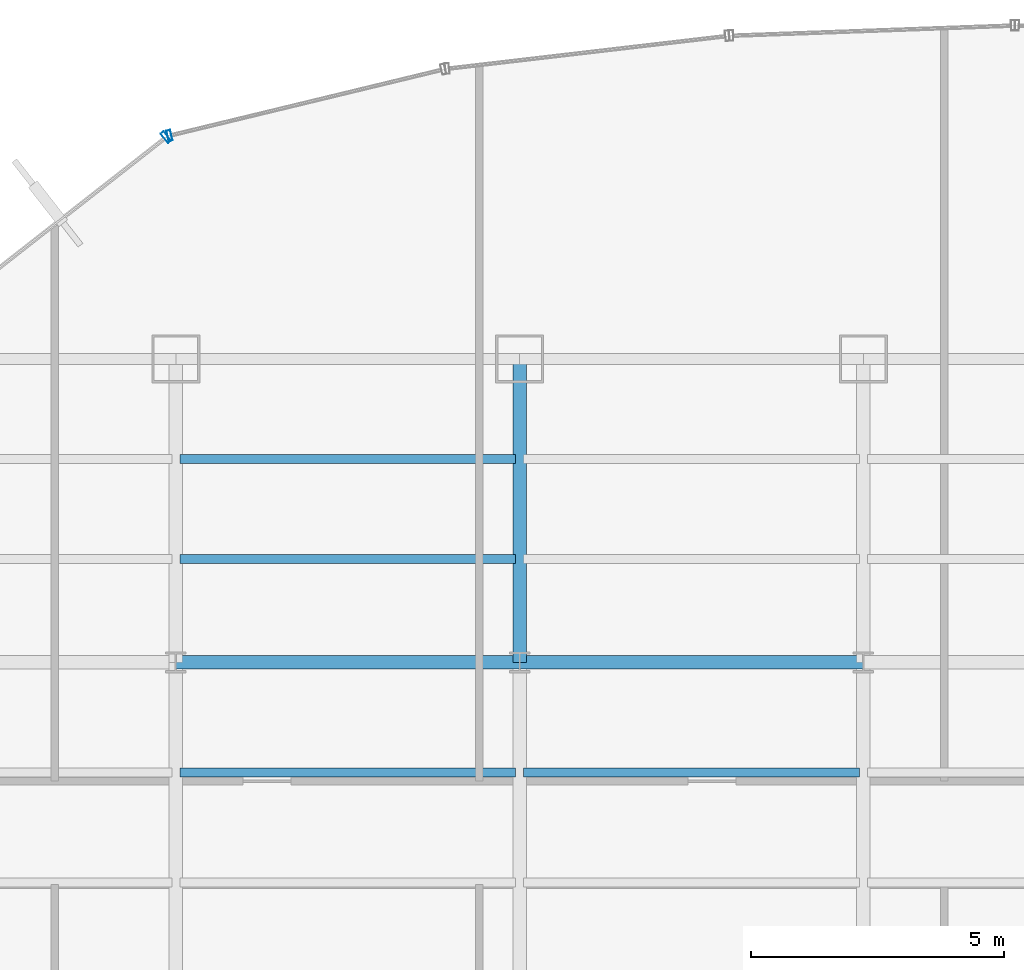
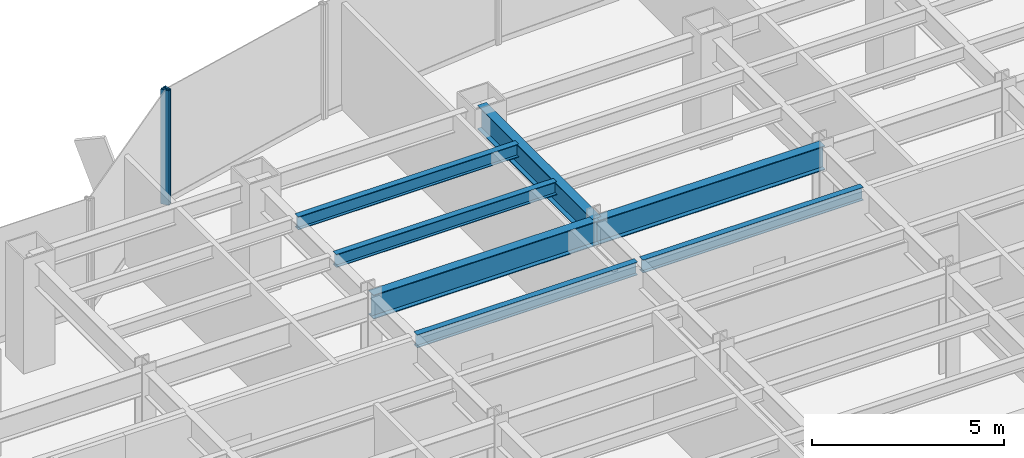
# One storey, part 11 of 23: 7 beams, 2 members, 2 elements without a shape of their own.
"""IFC4 building model written with IfcOpenShell, lengths in metres."""

import ifcopenshell
import ifcopenshell.guid

model = None  # the IFC model being written
_history = None  # IfcOwnerHistory: only IFC2X3 demands one
_inside = {}  # id of a spatial element -> (the spatial element, [elements in it])
_under = {}  # id of a project, library or spatial element -> (it, [spatial elements below it])
_declared = {}  # id of a project -> (the project, [libraries it declares])
_typed = {}  # id of a type object -> (the type object, [elements of that type])
_made_of = {}  # id of a material, layer set ... -> (it, [elements and type objects made of it])


def new_model(schema):
    """Start an empty IFC model of exactly this schema.

    Asked for "IFC4X3", IfcOpenShell would pick the latest addendum, in which some entities
    have other attributes; the version numbers below select the first issue.
    IFC2X3 requires an IfcOwnerHistory on every rooted entity: one is made here for all.
    """
    global model, _history
    if schema == "IFC4X3":
        model = ifcopenshell.file(schema_version=(4, 3, 0, 0))
    else:
        model = ifcopenshell.file(schema=schema)
    _inside.clear()
    _under.clear()
    _declared.clear()
    _typed.clear()
    _made_of.clear()
    _history = None
    if model.schema == "IFC2X3":
        org = make("IfcOrganization", Name="unknown")
        user = make(
            "IfcPersonAndOrganization",
            ThePerson=make("IfcPerson", FamilyName="unknown"),
            TheOrganization=org,
        )
        app = make(
            "IfcApplication",
            ApplicationDeveloper=org,
            Version="unknown",
            ApplicationFullName="unknown",
            ApplicationIdentifier="unknown",
        )
        _history = make(
            "IfcOwnerHistory",
            OwningUser=user,
            OwningApplication=app,
            ChangeAction="ADDED",
            CreationDate=0,
        )
    return model


def make(cls, **values):
    """One entity of the class cls with the attributes given. An attribute that is None is left unset."""
    return model.create_entity(
        cls, **{name: value for name, value in values.items() if value is not None}
    )


def rooted(cls, **values):
    """An entity with a GlobalId (a new one), such as an element, a storey or a relation."""
    return make(cls, GlobalId=ifcopenshell.guid.new(), OwnerHistory=_history, **values)


def si_unit(unit_type, name, prefix=None):
    """IfcSIUnit, for example si_unit("LENGTHUNIT", "METRE", prefix="MILLI")."""
    return make("IfcSIUnit", UnitType=unit_type, Prefix=prefix, Name=name)


def derived_unit(unit_type, elements):
    """IfcDerivedUnit: a product of units, each with its exponent."""
    return make(
        "IfcDerivedUnit",
        Elements=[
            make("IfcDerivedUnitElement", Unit=unit, Exponent=power)
            for unit, power in elements
        ],
        UnitType=unit_type,
    )


def assignment(units):
    """IfcUnitAssignment: the units of a project."""
    return None if units is None else make("IfcUnitAssignment", Units=units)


def point(xyz):
    """IfcCartesianPoint."""
    return None if xyz is None else make("IfcCartesianPoint", Coordinates=xyz)


def direction(xyz):
    """IfcDirection."""
    return None if xyz is None else make("IfcDirection", DirectionRatios=xyz)


def frame(location, z_axis=None, x_axis=None):
    """IfcAxis2Placement3D, a coordinate frame: its origin and axes. An axis left out is left unset."""
    return make(
        "IfcAxis2Placement3D",
        Location=point(location),
        Axis=direction(z_axis),
        RefDirection=direction(x_axis),
    )


def frame_2d(location, x_axis=None):
    """IfcAxis2Placement2D, a coordinate frame in the plane: its origin and x axis."""
    return make(
        "IfcAxis2Placement2D", Location=point(location), RefDirection=direction(x_axis)
    )


def origin():
    """The frame at (0, 0, 0) with its axes left unset."""
    return frame((0.0, 0.0, 0.0))


def origin_2d():
    """The frame at (0, 0) in the plane with its x axis left unset."""
    return frame_2d((0.0, 0.0))


def place(relative_to, where):
    """IfcLocalPlacement: puts the frame where relative to a parent placement (None: the world)."""
    return make(
        "IfcLocalPlacement", PlacementRelTo=relative_to, RelativePlacement=where
    )


def context(
    kind, dimensions, precision=None, world=None, true_north=None, identifier=None
):
    """IfcGeometricRepresentationContext, for example the 3D "Model" context."""
    return make(
        "IfcGeometricRepresentationContext",
        ContextIdentifier=identifier,
        ContextType=kind,
        CoordinateSpaceDimension=dimensions,
        Precision=precision,
        WorldCoordinateSystem=world,
        TrueNorth=true_north,
    )


def subcontext(parent, identifier, kind, view, scale=None):
    """IfcGeometricRepresentationSubContext, for example "Body" below "Model"."""
    return make(
        "IfcGeometricRepresentationSubContext",
        ContextIdentifier=identifier,
        ContextType=kind,
        ParentContext=parent,
        TargetScale=scale,
        TargetView=view,
    )


def project(units=None, contexts=None):
    """IfcProject with its units and contexts."""
    return rooted(
        "IfcProject",
        Name="project",
        RepresentationContexts=contexts,
        UnitsInContext=assignment(units),
    )


def spatial(cls, under=None, at=None, **own):
    """A site, building, storey or space (cls), placed at a placement, below another one or the project."""
    s = rooted(cls, ObjectPlacement=at, **own)
    if under is not None:
        _under.setdefault(under.id(), (under, []))[1].append(s)
    return s


def profile(cls, at=None, kind="AREA", **sizes):
    """A parametric profile (cls). Its sizes go by their IFC names, for example OverallWidth=200.0."""
    return make(cls, ProfileType=kind, Position=at, **sizes)


def hollow_rectangle(**sizes):
    """IfcRectangleHollowProfileDef."""
    return profile("IfcRectangleHollowProfileDef", **sizes)


def i_section(**sizes):
    """IfcIShapeProfileDef."""
    return profile("IfcIShapeProfileDef", **sizes)


def extrude(swept, where, along, depth):
    """IfcExtrudedAreaSolid: the profile swept, set in the frame where, extruded along a direction by depth."""
    return make(
        "IfcExtrudedAreaSolid",
        SweptArea=swept,
        Position=where,
        ExtrudedDirection=direction(along),
        Depth=depth,
    )


def shape(context_of_items, identifier, shape_type, items):
    """IfcShapeRepresentation: the items that make up one representation, for example the "Body"."""
    return make(
        "IfcShapeRepresentation",
        ContextOfItems=context_of_items,
        RepresentationIdentifier=identifier,
        RepresentationType=shape_type,
        Items=items,
    )


def source(mapping_origin, context_of_items, identifier, shape_type, items):
    """IfcRepresentationMap: a shape defined once, which mapped items show again and again."""
    return make(
        "IfcRepresentationMap",
        MappingOrigin=mapping_origin,
        MappedRepresentation=shape(context_of_items, identifier, shape_type, items),
    )


def transform(
    local_origin,
    x_axis=None,
    y_axis=None,
    z_axis=None,
    scale=None,
    scale2=None,
    scale3=None,
    uniform=True,
):
    """IfcCartesianTransformationOperator3D, or its non-uniform kind. x_axis, y_axis, z_axis: its Axis1, 2, 3."""
    if uniform:
        return make(
            "IfcCartesianTransformationOperator3D",
            Axis1=direction(x_axis),
            Axis2=direction(y_axis),
            LocalOrigin=point(local_origin),
            Scale=scale,
            Axis3=direction(z_axis),
        )
    return make(
        "IfcCartesianTransformationOperator3DnonUniform",
        Axis1=direction(x_axis),
        Axis2=direction(y_axis),
        LocalOrigin=point(local_origin),
        Scale=scale,
        Axis3=direction(z_axis),
        Scale2=scale2,
        Scale3=scale3,
    )


def mapped(mapping_source, mapping_target):
    """IfcMappedItem: shows the shape of a source again, moved by a transform."""
    return make(
        "IfcMappedItem", MappingSource=mapping_source, MappingTarget=mapping_target
    )


def material(Name=None, Category=None):
    """IfcMaterial."""
    return make("IfcMaterial", Name=Name, Category=Category)


def material_profile(
    of_material, cross_section, Name=None, Category=None, Priority=None
):
    """IfcMaterialProfile: a cross section and its material."""
    return make(
        "IfcMaterialProfile",
        Name=Name,
        Material=of_material,
        Profile=cross_section,
        Priority=Priority,
        Category=Category,
    )


def profile_set(profiles, Name=None, composite=None):
    """IfcMaterialProfileSet."""
    return make(
        "IfcMaterialProfileSet",
        Name=Name,
        MaterialProfiles=profiles,
        CompositeProfile=composite,
    )


def made_of(thing, what):
    """Note that an element or type object is made of a material, layer set ...; save() writes the relation."""
    if what is not None:
        _made_of.setdefault(what.id(), (what, []))[1].append(thing)
    return thing


def type_object(cls, material=None, **own):
    """A type object (cls), such as IfcWallType, which elements share."""
    return made_of(rooted(cls, **own), material)


def element(
    cls,
    number,
    at=None,
    inside=None,
    cuts=None,
    type_object=None,
    material=None,
    context=None,
    identifier="Body",
    shape_type=None,
    held_by="IfcProductDefinitionShape",
    body=None,
    shapes=None,
    **own,
):
    """One element of the class cls, such as IfcWall. Its Tag is "e" and its number.

    at: its placement. inside: the storey or other place that contains it. cuts: it is an
    opening in that element (IfcRelVoidsElement). A single representation is given by context,
    identifier, shape_type and body (its items); several are given by shapes. held_by: the class
    of the entity that holds the representations. save() writes the other relations.
    """
    e = rooted(cls, Tag="e%d" % number, ObjectPlacement=at, **own)
    if body is not None:
        shapes = [shape(context, identifier, shape_type, body)]
    if shapes is not None:
        e.Representation = make(held_by, Representations=shapes)
    if inside is not None:
        _inside.setdefault(inside.id(), (inside, []))[1].append(e)
    if cuts is not None:
        rooted(
            "IfcRelVoidsElement", RelatingBuildingElement=cuts, RelatedOpeningElement=e
        )
    if type_object is not None:
        _typed.setdefault(type_object.id(), (type_object, []))[1].append(e)
    return made_of(e, material)


def aggregate(whole, parts):
    """IfcRelAggregates: a whole, such as a stair, and the parts it consists of."""
    return rooted("IfcRelAggregates", RelatingObject=whole, RelatedObjects=parts)


def save(model, path):
    """Write the relations noted so far, then the file.

    IfcRelAggregates (storeys below a building ...), IfcRelContainedInSpatialStructure (elements
    in a storey), IfcRelDefinesByType, IfcRelAssociatesMaterial and IfcRelDeclares: one each for
    every whole, place, type object, material and project.
    """
    for whole, parts in _under.values():
        aggregate(whole, parts)
    for where, things in _inside.values():
        rooted(
            "IfcRelContainedInSpatialStructure",
            RelatedElements=things,
            RelatingStructure=where,
        )
    for kind, things in _typed.values():
        rooted("IfcRelDefinesByType", RelatedObjects=things, RelatingType=kind)
    for what, things in _made_of.values():
        rooted("IfcRelAssociatesMaterial", RelatedObjects=things, RelatingMaterial=what)
    for by, libraries in _declared.values():
        rooted("IfcRelDeclares", RelatingContext=by, RelatedDefinitions=libraries)
    model.write(path)


model = new_model("IFC4")

# Units and contexts
model_context = context("Model", 3, precision=1e-05, world=origin(), true_north=direction((0.0, 1.0)))
body_context = subcontext(model_context, "Body", "Model", "MODEL_VIEW")
ifc_project = project(units=[si_unit("LENGTHUNIT", "METRE"), si_unit("AREAUNIT", "SQUARE_METRE"), si_unit("VOLUMEUNIT", "CUBIC_METRE"), si_unit("PLANEANGLEUNIT", "RADIAN"), si_unit("MASSUNIT", "GRAM", prefix="KILO"), derived_unit("THERMALTRANSMITTANCEUNIT", [(si_unit("POWERUNIT", "WATT"), 1), (si_unit("LENGTHUNIT", "METRE"), -2), (si_unit("THERMODYNAMICTEMPERATUREUNIT", "KELVIN"), -1)])], contexts=[model_context])

# Site, building, storey
site_placement = place(None, origin())
site = spatial("IfcSite", under=ifc_project, at=site_placement, CompositionType="ELEMENT")
building_placement = place(site_placement, origin())
building = spatial("IfcBuilding", under=site, at=building_placement, Name="Skarnbrae Concourse Arena and Tower", CompositionType="ELEMENT")
storey_placement = place(building_placement, frame((0.0, 0.0, 47.10009765625)))
storey = spatial("IfcBuildingStorey", under=building, at=storey_placement, Name="L10", CompositionType="ELEMENT", Elevation=47.10009765625)

# Beams
ifc_material_1 = material(Name="Steel CSA G40.21 350W", Category="steel")
ifc_material_profile_1 = material_profile(ifc_material_1, i_section(OverallWidth=0.26806640625, OverallDepth=0.77001953125, WebThickness=0.015625, FlangeThickness=0.025390625, at=origin_2d()), Name="W760X196")
ifc_profile_set_1 = profile_set([ifc_material_profile_1], Name="Steel CSA G40.21 350W")
beam_type_1 = type_object("IfcBeamType", Name="BM-GIRD-W760X196", PredefinedType="BEAM", material=ifc_profile_set_1)
shared_shape_1 = source(origin(), body_context, "Body", "SweptSolid", [
    extrude(i_section(OverallWidth=0.26806640625, OverallDepth=0.77001953125, WebThickness=0.015625, FlangeThickness=0.025390625, at=origin_2d()), origin(), (0.0, 0.0, 1.0), 6.800048828125),
])
for number, where, z_axis, x_axis, name in (
    (1, (14.39990234375, 34.39990234375, 3.014892578125), (1.0, 0.0, 0.0), (0.0, 1.0, 0.0), "L10 Primary E-W girder Y34.4-3"),
    (2, (21.199951171875, 34.39990234375, 3.014892578125), (1.0, 0.0, 0.0), (0.0, 1.0, 0.0), "L10 Primary E-W girder Y34.4-4"),
):
    element("IfcBeam", number, at=place(storey_placement, frame(where, z_axis=z_axis, x_axis=x_axis)), inside=storey, type_object=beam_type_1, Name=name, PredefinedType="BEAM", context=body_context, shape_type="MappedRepresentation", body=[
        mapped(shared_shape_1, transform((0.0, 0.0, 0.0))),
    ])
shared_shape_2 = source(origin(), body_context, "Body", "SweptSolid", [
    extrude(i_section(OverallWidth=0.26806640625, OverallDepth=0.77001953125, WebThickness=0.015625, FlangeThickness=0.025390625, at=origin_2d()), origin(), (0.0, 0.0, 1.0), 6.0),
])
beam_1_placement = place(storey_placement, frame((21.199951171875, 34.39990234375, 3.014892578125), z_axis=(0.0, 1.0, 0.0), x_axis=(-1.0, 0.0, 0.0)))
element("IfcBeam", 3, at=beam_1_placement, inside=storey, type_object=beam_type_1, Name="L10 Primary N-S girder X21.2-4", PredefinedType="BEAM", context=body_context, shape_type="MappedRepresentation", body=[
    mapped(shared_shape_2, transform((0.0, 0.0, 0.0))),
])
ifc_material_profile_2 = material_profile(ifc_material_1, i_section(OverallWidth=0.180908203125, OverallDepth=0.4169921875, WebThickness=0.010986328125, FlangeThickness=0.018310546875, at=origin_2d()), Name="W410X85")
ifc_profile_set_2 = profile_set([ifc_material_profile_2], Name="Steel CSA G40.21 350W")
beam_type_2 = type_object("IfcBeamType", Name="BM-JOIST-W410X85", PredefinedType="JOIST", material=ifc_profile_set_2)
shared_shape_3 = source(origin(), body_context, "Body", "SweptSolid", [
    extrude(i_section(OverallWidth=0.180908203125, OverallDepth=0.4169921875, WebThickness=0.010986328125, FlangeThickness=0.018310546875, at=origin_2d()), origin(), (0.0, 0.0, 1.0), 6.64013671875),
])
for number, where, z_axis, x_axis, name in (
    (4, (14.47998046875, 32.221923828125, 3.19140625), (1.0, 0.0, 0.0), (0.0, 1.0, 0.0), "L10 Secondary floor joist 3.2.3"),
    (5, (14.47998046875, 36.43994140625, 3.19140625), (1.0, 0.0, 0.0), (0.0, 1.0, 0.0), "L10 Secondary floor joist 4.1.2"),
    (6, (14.47998046875, 38.419921875, 3.19140625), (1.0, 0.0, 0.0), (0.0, 1.0, 0.0), "L10 Secondary floor joist 4.2.2"),
):
    element("IfcBeam", number, at=place(storey_placement, frame(where, z_axis=z_axis, x_axis=x_axis)), inside=storey, type_object=beam_type_2, Name=name, PredefinedType="JOIST", context=body_context, shape_type="MappedRepresentation", body=[
        mapped(shared_shape_3, transform((0.0, 0.0, 0.0))),
    ])
shared_shape_4 = source(origin(), body_context, "Body", "SweptSolid", [
    extrude(i_section(OverallWidth=0.180908203125, OverallDepth=0.4169921875, WebThickness=0.010986328125, FlangeThickness=0.018310546875, at=origin_2d()), origin(), (0.0, 0.0, 1.0), 6.639892578125),
])
beam_2_placement = place(storey_placement, frame((21.280029296875, 32.221923828125, 3.19140625), z_axis=(1.0, 0.0, 0.0), x_axis=(0.0, 1.0, 0.0)))
element("IfcBeam", 7, at=beam_2_placement, inside=storey, type_object=beam_type_2, Name="L10 Secondary floor joist 3.2.4", PredefinedType="JOIST", context=body_context, shape_type="MappedRepresentation", body=[
    mapped(shared_shape_4, transform((0.0, 0.0, 0.0))),
])

# Curtain wall, member
ifc_material_2 = material(Name="Bronze anodised aluminium 6063-T6", Category="aluminium")
curtain_wall_type_1 = type_object("IfcCurtainWallType", Name="CW-SYS-02-LOWZONE", PredefinedType="USERDEFINED", material=ifc_material_2)
curtain_wall_1_placement = place(storey_placement, origin())
curtain_wall_1 = element("IfcCurtainWall", 8, at=curtain_wall_1_placement, inside=storey, type_object=curtain_wall_type_1, Name="L10 Unitised curtain wall CW-L10-E15", ObjectType="UNITISED CURTAIN WALL", PredefinedType="USERDEFINED")
ifc_material_profile_3 = material_profile(ifc_material_2, hollow_rectangle(XDim=0.080078125, YDim=0.239990234375, WallThickness=0.0048828125, at=origin_2d()), Name="ALU-MULL-80X240")
ifc_profile_set_3 = profile_set([ifc_material_profile_3], Name="Bronze anodised aluminium 6063-T6")
member_type_1 = type_object("IfcMemberType", Name="CWM-CW-02", PredefinedType="MULLION", material=ifc_profile_set_3)
shared_shape_5 = source(origin(), body_context, "Body", "SweptSolid", [
    extrude(hollow_rectangle(XDim=0.080078125, YDim=0.239990234375, WallThickness=0.0048828125, at=origin_2d()), origin(), (0.0, 0.0, 1.0), 3.64990234375),
])
member_1_placement = place(storey_placement, frame((14.2021484375, 44.787109375, 0.0), z_axis=(0.0, 0.0, 1.0), x_axis=(-0.787651726054, -0.616120733658, 0.0)))
member_1 = element("IfcMember", 9, at=member_1_placement, type_object=member_type_1, Name="CW-L10-E15 Mullion 1", PredefinedType="MULLION", context=body_context, shape_type="MappedRepresentation", body=[
    mapped(shared_shape_5, transform((0.0, 0.0, 0.0))),
])
aggregate(curtain_wall_1, [member_1])

curtain_wall_type_2 = type_object("IfcCurtainWallType", Name="CW-SYS-03-PORTAL", PredefinedType="USERDEFINED", material=ifc_material_2)
curtain_wall_2_placement = place(storey_placement, origin())
curtain_wall_2 = element("IfcCurtainWall", 10, at=curtain_wall_2_placement, inside=storey, type_object=curtain_wall_type_2, Name="L10 Unitised curtain wall CW-L10-E14", ObjectType="UNITISED CURTAIN WALL", PredefinedType="USERDEFINED")
ifc_material_profile_4 = material_profile(ifc_material_2, hollow_rectangle(XDim=0.080078125, YDim=0.2099609375, WallThickness=0.00439453125, at=origin_2d()), Name="ALU-MULL-80X210")
ifc_profile_set_4 = profile_set([ifc_material_profile_4], Name="Bronze anodised aluminium 6063-T6")
member_type_2 = type_object("IfcMemberType", Name="CWM-CW-03", PredefinedType="MULLION", material=ifc_profile_set_4)
shared_shape_6 = source(origin(), body_context, "Body", "SweptSolid", [
    extrude(hollow_rectangle(XDim=0.080078125, YDim=0.2099609375, WallThickness=0.00439453125, at=origin_2d()), origin(), (0.0, 0.0, 1.0), 3.64990234375),
])
member_2_placement = place(storey_placement, frame((14.272705078125, 44.821044921875, 0.0), z_axis=(0.0, 0.0, 1.0), x_axis=(-0.971973721569, -0.235089524607, 0.0)))
member_2 = element("IfcMember", 11, at=member_2_placement, type_object=member_type_2, Name="CW-L10-E14 Mullion 2", PredefinedType="MULLION", context=body_context, shape_type="MappedRepresentation", body=[
    mapped(shared_shape_6, transform((0.0, 0.0, 0.0))),
])
aggregate(curtain_wall_2, [member_2])

save(model, "model.ifc")
